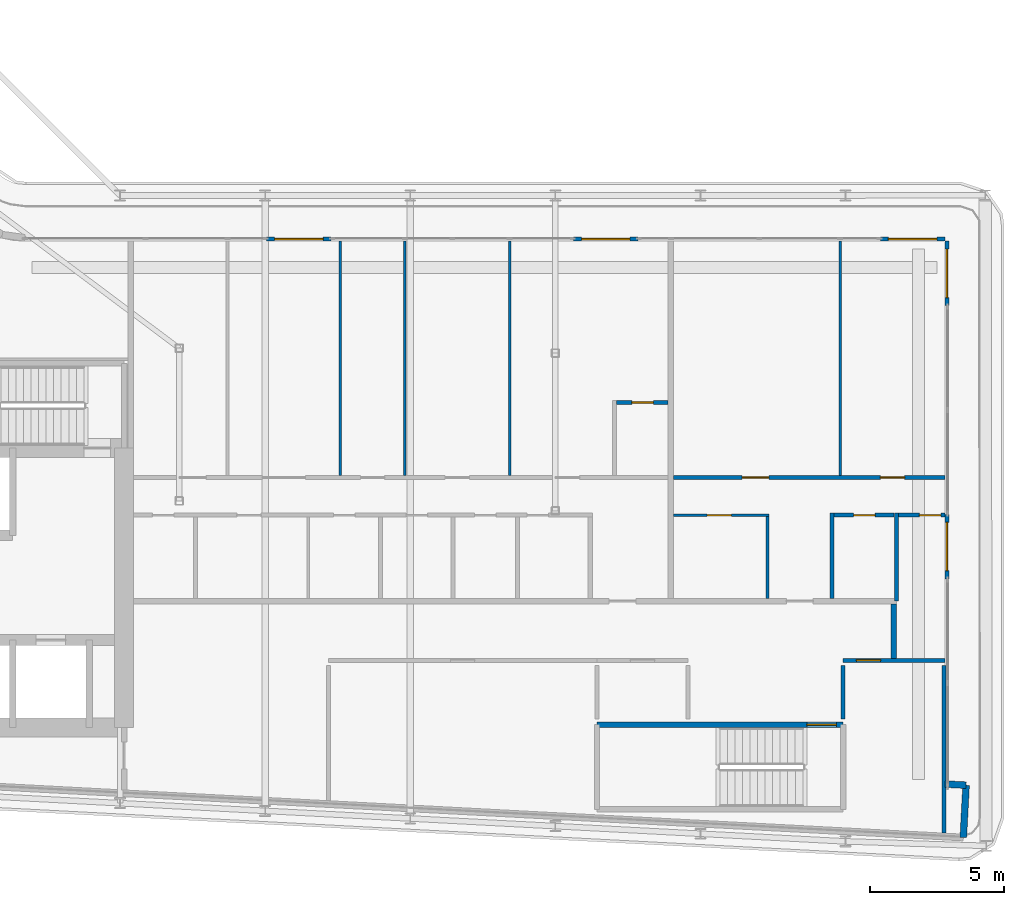
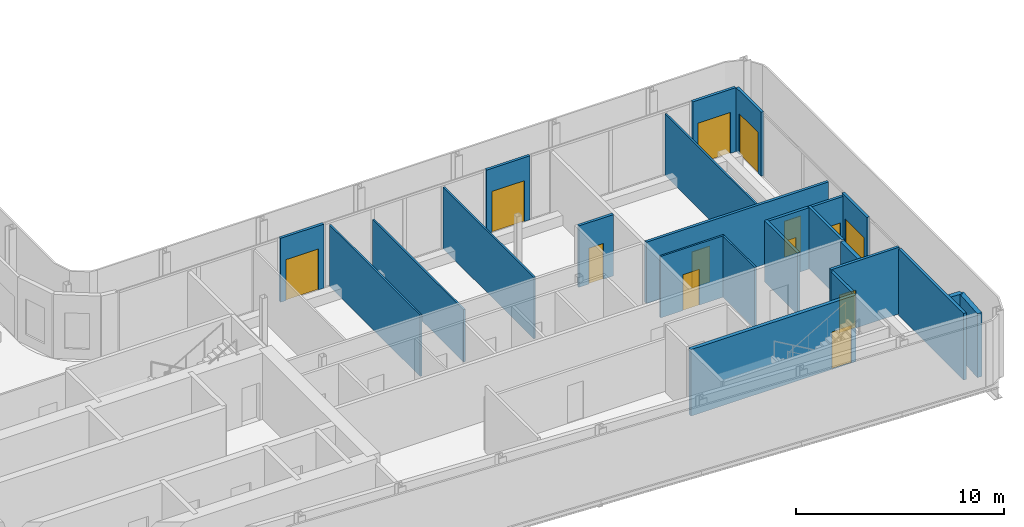
# One storey, part 12 of 21: 24 walls, 13 doors, 13 openings.
"""IFC4 building model written with IfcOpenShell, lengths in metres."""

import ifcopenshell
import ifcopenshell.guid

model = None  # the IFC model being written
_history = None  # IfcOwnerHistory: only IFC2X3 demands one
_inside = {}  # id of a spatial element -> (the spatial element, [elements in it])
_under = {}  # id of a project, library or spatial element -> (it, [spatial elements below it])
_declared = {}  # id of a project -> (the project, [libraries it declares])
_typed = {}  # id of a type object -> (the type object, [elements of that type])
_made_of = {}  # id of a material, layer set ... -> (it, [elements and type objects made of it])


def new_model(schema):
    """Start an empty IFC model of exactly this schema.

    Asked for "IFC4X3", IfcOpenShell would pick the latest addendum, in which some entities
    have other attributes; the version numbers below select the first issue.
    IFC2X3 requires an IfcOwnerHistory on every rooted entity: one is made here for all.
    """
    global model, _history
    if schema == "IFC4X3":
        model = ifcopenshell.file(schema_version=(4, 3, 0, 0))
    else:
        model = ifcopenshell.file(schema=schema)
    _inside.clear()
    _under.clear()
    _declared.clear()
    _typed.clear()
    _made_of.clear()
    _history = None
    if model.schema == "IFC2X3":
        org = make("IfcOrganization", Name="unknown")
        user = make(
            "IfcPersonAndOrganization",
            ThePerson=make("IfcPerson", FamilyName="unknown"),
            TheOrganization=org,
        )
        app = make(
            "IfcApplication",
            ApplicationDeveloper=org,
            Version="unknown",
            ApplicationFullName="unknown",
            ApplicationIdentifier="unknown",
        )
        _history = make(
            "IfcOwnerHistory",
            OwningUser=user,
            OwningApplication=app,
            ChangeAction="ADDED",
            CreationDate=0,
        )
    return model


def make(cls, **values):
    """One entity of the class cls with the attributes given. An attribute that is None is left unset."""
    return model.create_entity(
        cls, **{name: value for name, value in values.items() if value is not None}
    )


def rooted(cls, **values):
    """An entity with a GlobalId (a new one), such as an element, a storey or a relation."""
    return make(cls, GlobalId=ifcopenshell.guid.new(), OwnerHistory=_history, **values)


def si_unit(unit_type, name, prefix=None):
    """IfcSIUnit, for example si_unit("LENGTHUNIT", "METRE", prefix="MILLI")."""
    return make("IfcSIUnit", UnitType=unit_type, Prefix=prefix, Name=name)


def assignment(units):
    """IfcUnitAssignment: the units of a project."""
    return None if units is None else make("IfcUnitAssignment", Units=units)


def point(xyz):
    """IfcCartesianPoint."""
    return None if xyz is None else make("IfcCartesianPoint", Coordinates=xyz)


def direction(xyz):
    """IfcDirection."""
    return None if xyz is None else make("IfcDirection", DirectionRatios=xyz)


def frame(location, z_axis=None, x_axis=None):
    """IfcAxis2Placement3D, a coordinate frame: its origin and axes. An axis left out is left unset."""
    return make(
        "IfcAxis2Placement3D",
        Location=point(location),
        Axis=direction(z_axis),
        RefDirection=direction(x_axis),
    )


def frame_2d(location, x_axis=None):
    """IfcAxis2Placement2D, a coordinate frame in the plane: its origin and x axis."""
    return make(
        "IfcAxis2Placement2D", Location=point(location), RefDirection=direction(x_axis)
    )


def origin():
    """The frame at (0, 0, 0) with its axes left unset."""
    return frame((0.0, 0.0, 0.0))


def place(relative_to, where):
    """IfcLocalPlacement: puts the frame where relative to a parent placement (None: the world)."""
    return make(
        "IfcLocalPlacement", PlacementRelTo=relative_to, RelativePlacement=where
    )


def context(
    kind, dimensions, precision=None, world=None, true_north=None, identifier=None
):
    """IfcGeometricRepresentationContext, for example the 3D "Model" context."""
    return make(
        "IfcGeometricRepresentationContext",
        ContextIdentifier=identifier,
        ContextType=kind,
        CoordinateSpaceDimension=dimensions,
        Precision=precision,
        WorldCoordinateSystem=world,
        TrueNorth=true_north,
    )


def subcontext(parent, identifier, kind, view, scale=None):
    """IfcGeometricRepresentationSubContext, for example "Body" below "Model"."""
    return make(
        "IfcGeometricRepresentationSubContext",
        ContextIdentifier=identifier,
        ContextType=kind,
        ParentContext=parent,
        TargetScale=scale,
        TargetView=view,
    )


def project(units=None, contexts=None):
    """IfcProject with its units and contexts."""
    return rooted(
        "IfcProject",
        Name="project",
        RepresentationContexts=contexts,
        UnitsInContext=assignment(units),
    )


def spatial(cls, under=None, at=None, **own):
    """A site, building, storey or space (cls), placed at a placement, below another one or the project."""
    s = rooted(cls, ObjectPlacement=at, **own)
    if under is not None:
        _under.setdefault(under.id(), (under, []))[1].append(s)
    return s


def profile(cls, at=None, kind="AREA", **sizes):
    """A parametric profile (cls). Its sizes go by their IFC names, for example OverallWidth=200.0."""
    return make(cls, ProfileType=kind, Position=at, **sizes)


def rectangle(**sizes):
    """IfcRectangleProfileDef."""
    return profile("IfcRectangleProfileDef", **sizes)


def extrude(swept, where, along, depth):
    """IfcExtrudedAreaSolid: the profile swept, set in the frame where, extruded along a direction by depth."""
    return make(
        "IfcExtrudedAreaSolid",
        SweptArea=swept,
        Position=where,
        ExtrudedDirection=direction(along),
        Depth=depth,
    )


def shape(context_of_items, identifier, shape_type, items):
    """IfcShapeRepresentation: the items that make up one representation, for example the "Body"."""
    return make(
        "IfcShapeRepresentation",
        ContextOfItems=context_of_items,
        RepresentationIdentifier=identifier,
        RepresentationType=shape_type,
        Items=items,
    )


def source(mapping_origin, context_of_items, identifier, shape_type, items):
    """IfcRepresentationMap: a shape defined once, which mapped items show again and again."""
    return make(
        "IfcRepresentationMap",
        MappingOrigin=mapping_origin,
        MappedRepresentation=shape(context_of_items, identifier, shape_type, items),
    )


def transform(
    local_origin,
    x_axis=None,
    y_axis=None,
    z_axis=None,
    scale=None,
    scale2=None,
    scale3=None,
    uniform=True,
):
    """IfcCartesianTransformationOperator3D, or its non-uniform kind. x_axis, y_axis, z_axis: its Axis1, 2, 3."""
    if uniform:
        return make(
            "IfcCartesianTransformationOperator3D",
            Axis1=direction(x_axis),
            Axis2=direction(y_axis),
            LocalOrigin=point(local_origin),
            Scale=scale,
            Axis3=direction(z_axis),
        )
    return make(
        "IfcCartesianTransformationOperator3DnonUniform",
        Axis1=direction(x_axis),
        Axis2=direction(y_axis),
        LocalOrigin=point(local_origin),
        Scale=scale,
        Axis3=direction(z_axis),
        Scale2=scale2,
        Scale3=scale3,
    )


def mapped(mapping_source, mapping_target):
    """IfcMappedItem: shows the shape of a source again, moved by a transform."""
    return make(
        "IfcMappedItem", MappingSource=mapping_source, MappingTarget=mapping_target
    )


def material(Name=None, Category=None):
    """IfcMaterial."""
    return make("IfcMaterial", Name=Name, Category=Category)


def layer(
    of_material, thickness, ventilated=None, Name=None, Category=None, Priority=None
):
    """IfcMaterialLayer: one layer of a wall or slab, of a material (None: an air gap)."""
    return make(
        "IfcMaterialLayer",
        Material=of_material,
        LayerThickness=thickness,
        IsVentilated=ventilated,
        Name=Name,
        Category=Category,
        Priority=Priority,
    )


def layer_set(layers, Name=None):
    """IfcMaterialLayerSet."""
    return make("IfcMaterialLayerSet", MaterialLayers=layers, LayerSetName=Name)


def made_of(thing, what):
    """Note that an element or type object is made of a material, layer set ...; save() writes the relation."""
    if what is not None:
        _made_of.setdefault(what.id(), (what, []))[1].append(thing)
    return thing


def type_object(cls, material=None, **own):
    """A type object (cls), such as IfcWallType, which elements share."""
    return made_of(rooted(cls, **own), material)


def element(
    cls,
    number,
    at=None,
    inside=None,
    cuts=None,
    type_object=None,
    material=None,
    context=None,
    identifier="Body",
    shape_type=None,
    held_by="IfcProductDefinitionShape",
    body=None,
    shapes=None,
    **own,
):
    """One element of the class cls, such as IfcWall. Its Tag is "e" and its number.

    at: its placement. inside: the storey or other place that contains it. cuts: it is an
    opening in that element (IfcRelVoidsElement). A single representation is given by context,
    identifier, shape_type and body (its items); several are given by shapes. held_by: the class
    of the entity that holds the representations. save() writes the other relations.
    """
    e = rooted(cls, Tag="e%d" % number, ObjectPlacement=at, **own)
    if body is not None:
        shapes = [shape(context, identifier, shape_type, body)]
    if shapes is not None:
        e.Representation = make(held_by, Representations=shapes)
    if inside is not None:
        _inside.setdefault(inside.id(), (inside, []))[1].append(e)
    if cuts is not None:
        rooted(
            "IfcRelVoidsElement", RelatingBuildingElement=cuts, RelatedOpeningElement=e
        )
    if type_object is not None:
        _typed.setdefault(type_object.id(), (type_object, []))[1].append(e)
    return made_of(e, material)


def fill(opening, filler):
    """IfcRelFillsElement: the door or window that sits in an opening."""
    return rooted(
        "IfcRelFillsElement",
        RelatingOpeningElement=opening,
        RelatedBuildingElement=filler,
    )


def aggregate(whole, parts):
    """IfcRelAggregates: a whole, such as a stair, and the parts it consists of."""
    return rooted("IfcRelAggregates", RelatingObject=whole, RelatedObjects=parts)


def save(model, path):
    """Write the relations noted so far, then the file.

    IfcRelAggregates (storeys below a building ...), IfcRelContainedInSpatialStructure (elements
    in a storey), IfcRelDefinesByType, IfcRelAssociatesMaterial and IfcRelDeclares: one each for
    every whole, place, type object, material and project.
    """
    for whole, parts in _under.values():
        aggregate(whole, parts)
    for where, things in _inside.values():
        rooted(
            "IfcRelContainedInSpatialStructure",
            RelatedElements=things,
            RelatingStructure=where,
        )
    for kind, things in _typed.values():
        rooted("IfcRelDefinesByType", RelatedObjects=things, RelatingType=kind)
    for what, things in _made_of.values():
        rooted("IfcRelAssociatesMaterial", RelatedObjects=things, RelatingMaterial=what)
    for by, libraries in _declared.values():
        rooted("IfcRelDeclares", RelatingContext=by, RelatedDefinitions=libraries)
    model.write(path)


model = new_model("IFC4")

# Units and contexts
model_context = context("Model", 3, precision=1e-05, world=origin(), true_north=direction((0.0, 1.0)))
body_context = subcontext(model_context, "Body", "Model", "MODEL_VIEW")
ifc_project = project(units=[si_unit("LENGTHUNIT", "METRE"), si_unit("AREAUNIT", "SQUARE_METRE"), si_unit("VOLUMEUNIT", "CUBIC_METRE"), si_unit("PLANEANGLEUNIT", "RADIAN"), si_unit("MASSUNIT", "GRAM", prefix="KILO")], contexts=[model_context])

# Site, building, storey
site_placement = place(None, origin())
site = spatial("IfcSite", under=ifc_project, at=site_placement, CompositionType="ELEMENT")
building_placement = place(site_placement, origin())
building = spatial("IfcBuilding", under=site, at=building_placement, Name="Kheshtan School and Residences Tower", CompositionType="ELEMENT")
storey_placement = place(building_placement, frame((0.0, 0.0, 224.0)))
storey = spatial("IfcBuildingStorey", under=building, at=storey_placement, Name="L52", CompositionType="ELEMENT", Elevation=224.0)

# Walls
ifc_material_1 = material(Name="Gypsum board on steel studs with fire boards", Category="steel")
ifc_layer_1 = layer(ifc_material_1, 0.199951171875)
ifc_layer_set_1 = layer_set([ifc_layer_1], Name="Corridor wall 200")
wall_type_1 = type_object("IfcWallType", Name="Corridor wall 200", PredefinedType="PARTITIONING", material=ifc_layer_set_1)
wall_1_placement = place(storey_placement, frame((81.800048828125, 28.3740234375, 0.0), z_axis=(0.0, 0.0, 1.0), x_axis=(0.0, 1.0, 0.0)))
element("IfcWall", 1, at=wall_1_placement, inside=storey, type_object=wall_type_1, Name="Partition L52-044", PredefinedType="PARTITIONING", context=body_context, shape_type="SweptSolid", body=[
    extrude(rectangle(XDim=2.02587890625, YDim=0.199951171875, at=frame_2d((1.012939453125, 0.0))), origin(), (0.0, 0.0, 1.0), 3.60009765625),
])
ifc_material_2 = material(Name="Concrete C40/50 with ceramic cladding and mineral wool insulation", Category="concrete")
ifc_layer_2 = layer(ifc_material_2, 0.25)
ifc_layer_set_2 = layer_set([ifc_layer_2], Name="External wall 250 ceramic clad")
wall_type_2 = type_object("IfcWallType", Name="External wall 250 ceramic clad", PredefinedType="SOLIDWALL", material=ifc_layer_set_2)
wall_2_placement = place(storey_placement, frame((83.70703125, 23.69189453125, 0.0), z_axis=(0.0, 0.0, 1.0), x_axis=(0.998561284263, -0.053622398031, 0.0)))
element("IfcWall", 2, at=wall_2_placement, inside=storey, type_object=wall_type_2, Name="External wall L52 10", PredefinedType="SOLIDWALL", context=body_context, shape_type="SweptSolid", body=[
    extrude(rectangle(XDim=0.783203125, YDim=0.25, at=frame_2d((0.3916015625, 0.0))), origin(), (0.0, 0.0, 1.0), 3.75),
])
wall_3_placement = place(storey_placement, frame((84.489013671875, 23.64990234375, 0.0), z_axis=(0.0, 0.0, 1.0), x_axis=(-0.052841433274, -0.998602915542, 0.0)))
element("IfcWall", 3, at=wall_3_placement, inside=storey, type_object=wall_type_2, Name="External wall L52 11", PredefinedType="SOLIDWALL", context=body_context, shape_type="SweptSolid", body=[
    extrude(rectangle(XDim=1.94970703125, YDim=0.25, at=frame_2d((0.974853515625, 0.0))), origin(), (0.0, 0.0, 1.0), 3.75),
])

# Wall, opening, door
ifc_material_3 = material(Name="Aluminium frame wall with insulated infill", Category="aluminium")
ifc_layer_3 = layer(ifc_material_3, 0.14990234375)
ifc_layer_set_3 = layer_set([ifc_layer_3], Name="Glazing frame wall 150")
wall_type_3 = type_object("IfcWallType", Name="Glazing frame wall 150", PredefinedType="SOLIDWALL", material=ifc_layer_set_3)
wall_4_placement = place(storey_placement, frame((58.452880859375, 43.97509765625, 0.0), z_axis=(0.0, 0.0, 1.0), x_axis=(1.0, 0.0, 0.0)))
wall_4 = element("IfcWall", 4, at=wall_4_placement, inside=storey, type_object=wall_type_3, Name="Balcony door wall L52 8.1", PredefinedType="SOLIDWALL", context=body_context, shape_type="SweptSolid", body=[
    extrude(rectangle(XDim=2.400146484375, YDim=0.14990234375, at=frame_2d((1.2001953125, 0.0))), origin(), (0.0, 0.0, 1.0), 3.75),
])
opening_1_placement = place(wall_4_placement, frame((0.300048828125, 0.0, 0.0)))
opening_1 = element("IfcOpeningElement", 5, at=opening_1_placement, cuts=wall_4, Name="Opening BD", PredefinedType="OPENING", context=body_context, shape_type="SweptSolid", body=[
    extrude(rectangle(XDim=1.800048828125, YDim=2.39990234375, at=frame_2d((0.89990234375, 1.199951171875))), frame((0.0, 0.0849609375, 0.0), z_axis=(0.0, -1.0, 0.0), x_axis=(1.0, 0.0, 0.0)), (0.0, 0.0, 1.0), 0.169921875),
])
ifc_material_4 = material(Name="Clear low-e glass in thermally broken aluminium frame", Category="aluminium")
door_type_1 = type_object("IfcDoorType", Name="Balcony sliding door", OperationType="SLIDING_TO_LEFT", PredefinedType="DOOR", material=ifc_material_4)
shared_shape_1 = source(origin(), body_context, "Body", "SweptSolid", [
    extrude(rectangle(XDim=1.800048828125, YDim=2.39990234375, at=frame_2d((0.89990234375, 1.199951171875))), frame((0.0, 0.02490234375, 0.0), z_axis=(0.0, -1.0, 0.0), x_axis=(1.0, 0.0, 0.0)), (0.0, 0.0, 1.0), 0.050048828125),
])
door_1_placement = place(opening_1_placement, origin())
door_1 = element("IfcDoor", 6, at=door_1_placement, inside=storey, type_object=door_type_1, Name="Balcony door L52 8.1", OperationType="SLIDING_TO_LEFT", OverallHeight=2.39990234375, OverallWidth=1.800048828125, PredefinedType="DOOR", context=body_context, shape_type="MappedRepresentation", body=[
    mapped(shared_shape_1, transform((0.0, 0.0, 0.0), x_axis=(1.0, 0.0, 0.0), y_axis=(0.0, 1.0, 0.0), z_axis=(0.0, 0.0, 1.0), scale=1.0)),
])
fill(opening_1, door_1)

wall_5_placement = place(storey_placement, frame((69.876953125, 43.97509765625, 0.0), z_axis=(0.0, 0.0, 1.0), x_axis=(1.0, 0.0, 0.0)))
wall_5 = element("IfcWall", 7, at=wall_5_placement, inside=storey, type_object=wall_type_3, Name="Balcony door wall L52 8.2", PredefinedType="SOLIDWALL", context=body_context, shape_type="SweptSolid", body=[
    extrude(rectangle(XDim=2.400146484375, YDim=0.14990234375, at=frame_2d((1.2001953125, 0.0))), origin(), (0.0, 0.0, 1.0), 3.75),
])
opening_2_placement = place(wall_5_placement, frame((0.300048828125, 0.0, 0.0)))
opening_2 = element("IfcOpeningElement", 8, at=opening_2_placement, cuts=wall_5, Name="Opening BD", PredefinedType="OPENING", context=body_context, shape_type="SweptSolid", body=[
    extrude(rectangle(XDim=1.800048828125, YDim=2.39990234375, at=frame_2d((0.89990234375, 1.199951171875))), frame((0.0, 0.0849609375, 0.0), z_axis=(0.0, -1.0, 0.0), x_axis=(1.0, 0.0, 0.0)), (0.0, 0.0, 1.0), 0.169921875),
])
door_2_placement = place(opening_2_placement, origin())
door_2 = element("IfcDoor", 9, at=door_2_placement, inside=storey, type_object=door_type_1, Name="Balcony door L52 8.2", OperationType="SLIDING_TO_LEFT", OverallHeight=2.39990234375, OverallWidth=1.800048828125, PredefinedType="DOOR", context=body_context, shape_type="MappedRepresentation", body=[
    mapped(shared_shape_1, transform((0.0, 0.0, 0.0), x_axis=(1.0, 0.0, 0.0), y_axis=(0.0, 1.0, 0.0), z_axis=(0.0, 0.0, 1.0), scale=1.0)),
])
fill(opening_2, door_2)

wall_6_placement = place(storey_placement, frame((81.300048828125, 43.97509765625, 0.0), z_axis=(0.0, 0.0, 1.0), x_axis=(1.0, 0.0, 0.0)))
wall_6 = element("IfcWall", 10, at=wall_6_placement, inside=storey, type_object=wall_type_3, Name="Balcony door wall L52 8.3", PredefinedType="SOLIDWALL", context=body_context, shape_type="SweptSolid", body=[
    extrude(rectangle(XDim=2.39990234375, YDim=0.14990234375, at=frame_2d((1.199951171875, 0.0))), origin(), (0.0, 0.0, 1.0), 3.75),
])
opening_3_placement = place(wall_6_placement, frame((0.300048828125, 0.0, 0.0)))
opening_3 = element("IfcOpeningElement", 11, at=opening_3_placement, cuts=wall_6, Name="Opening BD", PredefinedType="OPENING", context=body_context, shape_type="SweptSolid", body=[
    extrude(rectangle(XDim=1.800048828125, YDim=2.39990234375, at=frame_2d((0.89990234375, 1.199951171875))), frame((0.0, 0.0849609375, 0.0), z_axis=(0.0, -1.0, 0.0), x_axis=(1.0, 0.0, 0.0)), (0.0, 0.0, 1.0), 0.169921875),
])
door_3_placement = place(opening_3_placement, origin())
door_3 = element("IfcDoor", 12, at=door_3_placement, inside=storey, type_object=door_type_1, Name="Balcony door L52 8.3", OperationType="SLIDING_TO_LEFT", OverallHeight=2.39990234375, OverallWidth=1.800048828125, PredefinedType="DOOR", context=body_context, shape_type="MappedRepresentation", body=[
    mapped(shared_shape_1, transform((0.0, 0.0, 0.0), x_axis=(1.0, 0.0, 0.0), y_axis=(0.0, 1.0, 0.0), z_axis=(0.0, 0.0, 1.0), scale=1.0)),
])
fill(opening_3, door_3)

wall_7_placement = place(storey_placement, frame((83.77490234375, 43.89990234375, 0.0), z_axis=(0.0, 0.0, 1.0), x_axis=(0.0, -1.0, 0.0)))
wall_7 = element("IfcWall", 13, at=wall_7_placement, inside=storey, type_object=wall_type_3, Name="Balcony door wall L52 9.1", PredefinedType="SOLIDWALL", context=body_context, shape_type="SweptSolid", body=[
    extrude(rectangle(XDim=2.39990234375, YDim=0.14990234375, at=frame_2d((1.199951171875, 0.0))), origin(), (0.0, 0.0, 1.0), 3.75),
])
opening_4_placement = place(wall_7_placement, frame((0.300048828125, 0.0, 0.0)))
opening_4 = element("IfcOpeningElement", 14, at=opening_4_placement, cuts=wall_7, Name="Opening BD", PredefinedType="OPENING", context=body_context, shape_type="SweptSolid", body=[
    extrude(rectangle(XDim=1.800048828125, YDim=2.39990234375, at=frame_2d((0.89990234375, 1.199951171875))), frame((0.0, 0.0849609375, 0.0), z_axis=(0.0, -1.0, 0.0), x_axis=(1.0, 0.0, 0.0)), (0.0, 0.0, 1.0), 0.169921875),
])
door_4_placement = place(opening_4_placement, origin())
door_4 = element("IfcDoor", 15, at=door_4_placement, inside=storey, type_object=door_type_1, Name="Balcony door L52 9.1", OperationType="SLIDING_TO_LEFT", OverallHeight=2.39990234375, OverallWidth=1.800048828125, PredefinedType="DOOR", context=body_context, shape_type="MappedRepresentation", body=[
    mapped(shared_shape_1, transform((0.0, 0.0, 0.0), x_axis=(1.0, 0.0, 0.0), y_axis=(0.0, 1.0, 0.0), z_axis=(0.0, 0.0, 1.0), scale=1.0)),
])
fill(opening_4, door_4)

wall_8_placement = place(storey_placement, frame((83.77490234375, 33.73291015625, 0.0), z_axis=(0.0, 0.0, 1.0), x_axis=(0.0, -1.0, 0.0)))
wall_8 = element("IfcWall", 16, at=wall_8_placement, inside=storey, type_object=wall_type_3, Name="Balcony door wall L52 9.2", PredefinedType="SOLIDWALL", context=body_context, shape_type="SweptSolid", body=[
    extrude(rectangle(XDim=2.39892578125, YDim=0.14990234375, at=frame_2d((1.199462890625, 0.0))), origin(), (0.0, 0.0, 1.0), 3.75),
])
opening_5_placement = place(wall_8_placement, frame((0.300048828125, 0.0, 0.0)))
opening_5 = element("IfcOpeningElement", 17, at=opening_5_placement, cuts=wall_8, Name="Opening BD", PredefinedType="OPENING", context=body_context, shape_type="SweptSolid", body=[
    extrude(rectangle(XDim=1.800048828125, YDim=2.39990234375, at=frame_2d((0.89990234375, 1.199951171875))), frame((0.0, 0.0849609375, 0.0), z_axis=(0.0, -1.0, 0.0), x_axis=(1.0, 0.0, 0.0)), (0.0, 0.0, 1.0), 0.169921875),
])
door_5_placement = place(opening_5_placement, origin())
door_5 = element("IfcDoor", 18, at=door_5_placement, inside=storey, type_object=door_type_1, Name="Balcony door L52 9.2", OperationType="SLIDING_TO_LEFT", OverallHeight=2.39990234375, OverallWidth=1.800048828125, PredefinedType="DOOR", context=body_context, shape_type="MappedRepresentation", body=[
    mapped(shared_shape_1, transform((0.0, 0.0, 0.0), x_axis=(1.0, 0.0, 0.0), y_axis=(0.0, 1.0, 0.0), z_axis=(0.0, 0.0, 1.0), scale=1.0)),
])
fill(opening_5, door_5)

# Walls
ifc_material_5 = material(Name="Gypsum board on steel studs", Category="steel")
ifc_layer_4 = layer(ifc_material_5, 0.10009765625)
ifc_layer_set_4 = layer_set([ifc_layer_4], Name="Gypsum partition 100")
wall_type_4 = type_object("IfcWallType", Name="Gypsum partition 100", PredefinedType="PARTITIONING", material=ifc_layer_set_4)
wall_9_placement = place(storey_placement, frame((61.199951171875, 35.175048828125, 0.0), z_axis=(0.0, 0.0, 1.0), x_axis=(0.0, 1.0, 0.0)))
element("IfcWall", 19, at=wall_9_placement, inside=storey, type_object=wall_type_4, Name="Partition L52-028", PredefinedType="PARTITIONING", context=body_context, shape_type="SweptSolid", body=[
    extrude(rectangle(XDim=8.724853515625, YDim=0.10009765625, at=frame_2d((4.3623046875, 0.0))), origin(), (0.0, 0.0, 1.0), 3.60009765625),
])
wall_10_placement = place(storey_placement, frame((63.60009765625, 35.175048828125, 0.0), z_axis=(0.0, 0.0, 1.0), x_axis=(0.0, 1.0, 0.0)))
element("IfcWall", 20, at=wall_10_placement, inside=storey, type_object=wall_type_4, Name="Partition L52-030", PredefinedType="PARTITIONING", context=body_context, shape_type="SweptSolid", body=[
    extrude(rectangle(XDim=8.724853515625, YDim=0.10009765625, at=frame_2d((4.3623046875, 0.0))), origin(), (0.0, 0.0, 1.0), 3.072021484375),
])
wall_11_placement = place(storey_placement, frame((67.5, 35.175048828125, 0.0), z_axis=(0.0, 0.0, 1.0), x_axis=(0.0, 1.0, 0.0)))
element("IfcWall", 21, at=wall_11_placement, inside=storey, type_object=wall_type_4, Name="Partition L52-032", PredefinedType="PARTITIONING", context=body_context, shape_type="SweptSolid", body=[
    extrude(rectangle(XDim=8.724853515625, YDim=0.10009765625, at=frame_2d((4.3623046875, 0.0))), origin(), (0.0, 0.0, 1.0), 3.60009765625),
])

# Wall, opening, door
wall_12_placement = place(storey_placement, frame((73.60009765625, 33.699951171875, 0.0), z_axis=(0.0, 0.0, 1.0), x_axis=(1.0, 0.0, 0.0)))
wall_12 = element("IfcWall", 22, at=wall_12_placement, inside=storey, type_object=wall_type_4, Name="Partition L52-038", PredefinedType="PARTITIONING", context=body_context, shape_type="SweptSolid", body=[
    extrude(rectangle(XDim=3.5498046875, YDim=0.10009765625, at=frame_2d((1.77490234375, 0.0))), origin(), (0.0, 0.0, 1.0), 3.60009765625),
])
opening_6_placement = place(wall_12_placement, frame((1.25, 0.0, 0.0)))
opening_6 = element("IfcOpeningElement", 23, at=opening_6_placement, cuts=wall_12, Name="Opening D52-017", PredefinedType="OPENING", context=body_context, shape_type="SweptSolid", body=[
    extrude(rectangle(XDim=0.89990234375, YDim=2.10009765625, at=frame_2d((0.449951171875, 1.050048828125))), frame((0.0, 0.06005859375, 0.0), z_axis=(0.0, -1.0, 0.0), x_axis=(1.0, 0.0, 0.0)), (0.0, 0.0, 1.0), 0.1201171875),
])
ifc_material_6 = material(Name="Veneered timber door leaf", Category="wood")
door_type_2 = type_object("IfcDoorType", Name="Door 900 x 2100", OperationType="SINGLE_SWING_LEFT", PredefinedType="DOOR", material=ifc_material_6)
shared_shape_2 = source(origin(), body_context, "Body", "SweptSolid", [
    extrude(rectangle(XDim=0.89990234375, YDim=2.10009765625, at=frame_2d((0.449951171875, 1.050048828125))), frame((0.0, 0.02490234375, 0.0), z_axis=(0.0, -1.0, 0.0), x_axis=(1.0, 0.0, 0.0)), (0.0, 0.0, 1.0), 0.050048828125),
])
door_6_placement = place(opening_6_placement, origin())
door_6 = element("IfcDoor", 24, at=door_6_placement, inside=storey, type_object=door_type_2, Name="Door D52-017", OperationType="SINGLE_SWING_LEFT", OverallHeight=2.10009765625, OverallWidth=0.89990234375, PredefinedType="DOOR", context=body_context, shape_type="MappedRepresentation", body=[
    mapped(shared_shape_2, transform((0.0, 0.0, 0.0), x_axis=(1.0, 0.0, 0.0), y_axis=(0.0, 1.0, 0.0), z_axis=(0.0, 0.0, 1.0), scale=1.0)),
])
fill(opening_6, door_6)

# Walls
wall_13_placement = place(storey_placement, frame((77.10009765625, 30.60009765625, 0.0), z_axis=(0.0, 0.0, 1.0), x_axis=(0.0, 1.0, 0.0)))
element("IfcWall", 25, at=wall_13_placement, inside=storey, type_object=wall_type_4, Name="Partition L52-040", PredefinedType="PARTITIONING", context=body_context, shape_type="SweptSolid", body=[
    extrude(rectangle(XDim=3.0498046875, YDim=0.10009765625, at=frame_2d((1.52490234375, 0.0))), origin(), (0.0, 0.0, 1.0), 3.60009765625),
])
wall_14_placement = place(storey_placement, frame((79.800048828125, 35.175048828125, 0.0), z_axis=(0.0, 0.0, 1.0), x_axis=(0.0, 1.0, 0.0)))
element("IfcWall", 26, at=wall_14_placement, inside=storey, type_object=wall_type_4, Name="Partition L52-043", PredefinedType="PARTITIONING", context=body_context, shape_type="SweptSolid", body=[
    extrude(rectangle(XDim=8.724853515625, YDim=0.10009765625, at=frame_2d((4.3623046875, 0.0))), origin(), (0.0, 0.0, 1.0), 3.60009765625),
])

# Wall, opening, door
ifc_material_7 = material(Name="Fire-board shaft wall system")
ifc_layer_5 = layer(ifc_material_7, 0.14990234375)
ifc_layer_set_5 = layer_set([ifc_layer_5], Name="Service room wall 150")
wall_type_5 = type_object("IfcWallType", Name="Service room wall 150", PredefinedType="PARTITIONING", material=ifc_layer_set_5)
wall_15_placement = place(storey_placement, frame((79.909912109375, 28.300048828125, 0.0), z_axis=(0.0, 0.0, 1.0), x_axis=(1.0, 0.0, 0.0)))
wall_15 = element("IfcWall", 27, at=wall_15_placement, inside=storey, type_object=wall_type_5, Name="Service room wall", PredefinedType="PARTITIONING", context=body_context, shape_type="SweptSolid", body=[
    extrude(rectangle(XDim=3.7880859375, YDim=0.14990234375, at=frame_2d((1.89404296875, 0.0))), origin(), (0.0, 0.0, 1.0), 3.89990234375),
])
opening_7_placement = place(wall_15_placement, frame((0.4951171875, 0.0, 0.0)))
opening_7 = element("IfcOpeningElement", 28, at=opening_7_placement, cuts=wall_15, Name="Opening SR90", PredefinedType="OPENING", context=body_context, shape_type="SweptSolid", body=[
    extrude(rectangle(XDim=0.89990234375, YDim=2.199951171875, at=frame_2d((0.449951171875, 1.10009765625))), frame((0.0, 0.0849609375, 0.0), z_axis=(0.0, -1.0, 0.0), x_axis=(1.0, 0.0, 0.0)), (0.0, 0.0, 1.0), 0.169921875),
])
ifc_material_8 = material(Name="Steel door leaf, galvanised", Category="steel")
door_type_3 = type_object("IfcDoorType", Name="Service room door 900 steel 90 min", OperationType="SINGLE_SWING_LEFT", PredefinedType="DOOR", material=ifc_material_8)
shared_shape_3 = source(origin(), body_context, "Body", "SweptSolid", [
    extrude(rectangle(XDim=0.89990234375, YDim=2.199951171875, at=frame_2d((0.449951171875, 1.10009765625))), frame((0.0, 0.02490234375, 0.0), z_axis=(0.0, -1.0, 0.0), x_axis=(1.0, 0.0, 0.0)), (0.0, 0.0, 1.0), 0.050048828125),
])
door_7_placement = place(opening_7_placement, origin())
door_7 = element("IfcDoor", 29, at=door_7_placement, inside=storey, type_object=door_type_3, Name="Service room door", OperationType="SINGLE_SWING_RIGHT", OverallHeight=2.199951171875, OverallWidth=0.89990234375, PredefinedType="DOOR", context=body_context, shape_type="MappedRepresentation", body=[
    mapped(shared_shape_3, transform((0.0, 0.0, 0.0), x_axis=(1.0, 0.0, 0.0), y_axis=(0.0, 1.0, 0.0), z_axis=(0.0, 0.0, 1.0), scale=1.0)),
])
fill(opening_7, door_7)

# Walls
wall_16_placement = place(storey_placement, frame((79.909912109375, 26.1201171875, 0.0), z_axis=(0.0, 0.0, 1.0), x_axis=(0.0, 1.0, 0.0)))
element("IfcWall", 30, at=wall_16_placement, inside=storey, type_object=wall_type_5, Name="Service room wall", PredefinedType="PARTITIONING", context=body_context, shape_type="SweptSolid", body=[
    extrude(rectangle(XDim=1.98486328125, YDim=0.14990234375, at=frame_2d((0.992431640625, 0.0))), origin(), (0.0, 0.0, 1.0), 3.89990234375),
])
wall_17_placement = place(storey_placement, frame((83.669921875, 21.867919921875, 0.0), z_axis=(0.0, 0.0, 1.0), x_axis=(0.0, 1.0, 0.0)))
element("IfcWall", 31, at=wall_17_placement, inside=storey, type_object=wall_type_5, Name="Service room wall", PredefinedType="PARTITIONING", context=body_context, shape_type="SweptSolid", body=[
    extrude(rectangle(XDim=6.237060546875, YDim=0.14990234375, at=frame_2d((3.11865234375, 0.0))), origin(), (0.0, 0.0, 1.0), 3.89990234375),
])

# Wall, opening, door
ifc_material_9 = material(Name="Concrete C40/50", Category="concrete")
ifc_layer_6 = layer(ifc_material_9, 0.199951171875)
ifc_layer_set_6 = layer_set([ifc_layer_6], Name="Stair enclosure wall 200 Concrete C40/50")
wall_type_6 = type_object("IfcWallType", Name="Stair enclosure wall 200 Concrete C40/50", PredefinedType="SHEAR", material=ifc_layer_set_6)
wall_18_placement = place(storey_placement, frame((70.75, 25.89990234375, 0.0), z_axis=(0.0, 0.0, 1.0), x_axis=(1.0, 0.0, 0.0)))
wall_18 = element("IfcWall", 32, at=wall_18_placement, inside=storey, type_object=wall_type_6, Name="Stair enclosure wall ST5", PredefinedType="SHEAR", context=body_context, shape_type="SweptSolid", body=[
    extrude(rectangle(XDim=9.159912109375, YDim=0.199951171875, at=frame_2d((4.580078125, 0.0))), origin(), (0.0, 0.0, 1.0), 3.89990234375),
])
opening_8_placement = place(wall_18_placement, frame((7.81005859375, 0.0, 0.0)))
opening_8 = element("IfcOpeningElement", 33, at=opening_8_placement, cuts=wall_18, Name="Opening ST5D", PredefinedType="OPENING", context=body_context, shape_type="SweptSolid", body=[
    extrude(rectangle(XDim=1.10009765625, YDim=2.199951171875, at=frame_2d((0.550048828125, 1.10009765625))), frame((0.0, 0.10986328125, 0.0), z_axis=(0.0, -1.0, 0.0), x_axis=(1.0, 0.0, 0.0)), (0.0, 0.0, 1.0), 0.219970703125),
])
door_type_4 = type_object("IfcDoorType", Name="Stair door 1100 steel 90 min", OperationType="SINGLE_SWING_LEFT", PredefinedType="DOOR", material=ifc_material_8)
shared_shape_4 = source(origin(), body_context, "Body", "SweptSolid", [
    extrude(rectangle(XDim=1.10009765625, YDim=2.199951171875, at=frame_2d((0.550048828125, 1.10009765625))), frame((0.0, 0.02490234375, 0.0), z_axis=(0.0, -1.0, 0.0), x_axis=(1.0, 0.0, 0.0)), (0.0, 0.0, 1.0), 0.050048828125),
])
door_8_placement = place(opening_8_placement, origin())
door_8 = element("IfcDoor", 34, at=door_8_placement, inside=storey, type_object=door_type_4, Name="Stair ST5 door", OperationType="SINGLE_SWING_LEFT", OverallHeight=2.199951171875, OverallWidth=1.10009765625, PredefinedType="DOOR", context=body_context, shape_type="MappedRepresentation", body=[
    mapped(shared_shape_4, transform((0.0, 0.0, 0.0), x_axis=(1.0, 0.0, 0.0), y_axis=(0.0, 1.0, 0.0), z_axis=(0.0, 0.0, 1.0), scale=1.0)),
])
fill(opening_8, door_8)

ifc_material_10 = material(Name="Moisture-resistant gypsum board on steel studs", Category="steel")
ifc_layer_7 = layer(ifc_material_10, 0.14990234375)
ifc_layer_set_7 = layer_set([ifc_layer_7], Name="Wet-room partition 150")
wall_type_7 = type_object("IfcWallType", Name="Wet-room partition 150", PredefinedType="PARTITIONING", material=ifc_layer_set_7)
wall_19_placement = place(storey_placement, frame((71.47509765625, 37.89990234375, 0.0), z_axis=(0.0, 0.0, 1.0), x_axis=(1.0, 0.0, 0.0)))
wall_19 = element("IfcWall", 35, at=wall_19_placement, inside=storey, type_object=wall_type_7, Name="Partition L52-036", PredefinedType="PARTITIONING", context=body_context, shape_type="SweptSolid", body=[
    extrude(rectangle(XDim=1.9248046875, YDim=0.14990234375, at=frame_2d((0.96240234375, 0.0))), origin(), (0.0, 0.0, 1.0), 3.60009765625),
])
opening_9_placement = place(wall_19_placement, frame((0.574951171875, 0.0, 0.0)))
opening_9 = element("IfcOpeningElement", 36, at=opening_9_placement, cuts=wall_19, Name="Opening D52-006", PredefinedType="OPENING", context=body_context, shape_type="SweptSolid", body=[
    extrude(rectangle(XDim=0.800048828125, YDim=2.10009765625, at=frame_2d((0.39990234375, 1.050048828125))), frame((0.0, 0.0849609375, 0.0), z_axis=(0.0, -1.0, 0.0), x_axis=(1.0, 0.0, 0.0)), (0.0, 0.0, 1.0), 0.169921875),
])
door_type_5 = type_object("IfcDoorType", Name="Door 800 x 2100", OperationType="SINGLE_SWING_LEFT", PredefinedType="DOOR", material=ifc_material_6)
shared_shape_5 = source(origin(), body_context, "Body", "SweptSolid", [
    extrude(rectangle(XDim=0.800048828125, YDim=2.10009765625, at=frame_2d((0.39990234375, 1.050048828125))), frame((0.0, 0.02490234375, 0.0), z_axis=(0.0, -1.0, 0.0), x_axis=(1.0, 0.0, 0.0)), (0.0, 0.0, 1.0), 0.050048828125),
])
door_9_placement = place(opening_9_placement, origin())
door_9 = element("IfcDoor", 37, at=door_9_placement, inside=storey, type_object=door_type_5, Name="Door D52-006", OperationType="SINGLE_SWING_LEFT", OverallHeight=2.10009765625, OverallWidth=0.800048828125, PredefinedType="DOOR", context=body_context, shape_type="MappedRepresentation", body=[
    mapped(shared_shape_5, transform((0.0, 0.0, 0.0), x_axis=(1.0, 0.0, 0.0), y_axis=(0.0, 1.0, 0.0), z_axis=(0.0, 0.0, 1.0), scale=1.0)),
])
fill(opening_9, door_9)

# Wall, openings, doors
wall_20_placement = place(storey_placement, frame((73.60009765625, 35.10009765625, 0.0), z_axis=(0.0, 0.0, 1.0), x_axis=(1.0, 0.0, 0.0)))
wall_20 = element("IfcWall", 38, at=wall_20_placement, inside=storey, type_object=wall_type_7, Name="Partition L52-039", PredefinedType="PARTITIONING", context=body_context, shape_type="SweptSolid", body=[
    extrude(rectangle(XDim=10.099853515625, YDim=0.14990234375, at=frame_2d((5.0498046875, 0.0))), origin(), (0.0, 0.0, 1.0), 3.60009765625),
])
opening_10_placement = place(wall_20_placement, frame((7.699951171875, 0.0, 0.0)))
opening_10 = element("IfcOpeningElement", 39, at=opening_10_placement, cuts=wall_20, Name="Opening D52-015", PredefinedType="OPENING", context=body_context, shape_type="SweptSolid", body=[
    extrude(rectangle(XDim=0.89990234375, YDim=2.10009765625, at=frame_2d((0.449951171875, 1.050048828125))), frame((0.0, 0.0849609375, 0.0), z_axis=(0.0, -1.0, 0.0), x_axis=(1.0, 0.0, 0.0)), (0.0, 0.0, 1.0), 0.169921875),
])
opening_11_placement = place(wall_20_placement, frame((2.550048828125, 0.0, 0.0)))
opening_11 = element("IfcOpeningElement", 40, at=opening_11_placement, cuts=wall_20, Name="Opening D52-018", PredefinedType="OPENING", context=body_context, shape_type="SweptSolid", body=[
    extrude(rectangle(XDim=1.0, YDim=2.10009765625, at=frame_2d((0.5, 1.050048828125))), frame((0.0, 0.0849609375, 0.0), z_axis=(0.0, -1.0, 0.0), x_axis=(1.0, 0.0, 0.0)), (0.0, 0.0, 1.0), 0.169921875),
])
door_type_6 = type_object("IfcDoorType", Name="Door 1000 x 2100", OperationType="SINGLE_SWING_LEFT", PredefinedType="DOOR", material=ifc_material_6)
shared_shape_6 = source(origin(), body_context, "Body", "SweptSolid", [
    extrude(rectangle(XDim=1.0, YDim=2.10009765625, at=frame_2d((0.5, 1.050048828125))), frame((0.0, 0.02490234375, 0.0), z_axis=(0.0, -1.0, 0.0), x_axis=(1.0, 0.0, 0.0)), (0.0, 0.0, 1.0), 0.050048828125),
])
door_10_placement = place(opening_11_placement, origin())
door_10 = element("IfcDoor", 41, at=door_10_placement, inside=storey, type_object=door_type_6, Name="Door D52-018", OperationType="SINGLE_SWING_LEFT", OverallHeight=2.10009765625, OverallWidth=1.0, PredefinedType="DOOR", context=body_context, shape_type="MappedRepresentation", body=[
    mapped(shared_shape_6, transform((0.0, 0.0, 0.0), x_axis=(1.0, 0.0, 0.0), y_axis=(0.0, 1.0, 0.0), z_axis=(0.0, 0.0, 1.0), scale=1.0)),
])
fill(opening_11, door_10)
door_11_placement = place(opening_10_placement, origin())
door_11 = element("IfcDoor", 42, at=door_11_placement, inside=storey, type_object=door_type_2, Name="Door D52-015", OperationType="SINGLE_SWING_RIGHT", OverallHeight=2.10009765625, OverallWidth=0.89990234375, PredefinedType="DOOR", context=body_context, shape_type="MappedRepresentation", body=[
    mapped(shared_shape_2, transform((0.0, 0.0, 0.0), x_axis=(1.0, 0.0, 0.0), y_axis=(0.0, 1.0, 0.0), z_axis=(0.0, 0.0, 1.0), scale=1.0)),
])
fill(opening_10, door_11)

# Wall
wall_21_placement = place(storey_placement, frame((79.5, 30.60009765625, 0.0), z_axis=(0.0, 0.0, 1.0), x_axis=(0.0, 1.0, 0.0)))
element("IfcWall", 43, at=wall_21_placement, inside=storey, type_object=wall_type_7, Name="Partition L52-041", PredefinedType="PARTITIONING", context=body_context, shape_type="SweptSolid", body=[
    extrude(rectangle(XDim=3.1748046875, YDim=0.14990234375, at=frame_2d((1.58740234375, 0.0))), origin(), (0.0, 0.0, 1.0), 3.60009765625),
])

# Wall, opening, door
wall_22_placement = place(storey_placement, frame((79.574951171875, 33.699951171875, 0.0), z_axis=(0.0, 0.0, 1.0), x_axis=(1.0, 0.0, 0.0)))
wall_22 = element("IfcWall", 44, at=wall_22_placement, inside=storey, type_object=wall_type_7, Name="Partition L52-042", PredefinedType="PARTITIONING", context=body_context, shape_type="SweptSolid", body=[
    extrude(rectangle(XDim=2.22509765625, YDim=0.14990234375, at=frame_2d((1.112548828125, 0.0))), origin(), (0.0, 0.0, 1.0), 3.60009765625),
])
opening_12_placement = place(wall_22_placement, frame((0.72509765625, 0.0, 0.0)))
opening_12 = element("IfcOpeningElement", 45, at=opening_12_placement, cuts=wall_22, Name="Opening D52-014", PredefinedType="OPENING", context=body_context, shape_type="SweptSolid", body=[
    extrude(rectangle(XDim=0.800048828125, YDim=2.10009765625, at=frame_2d((0.39990234375, 1.050048828125))), frame((0.0, 0.0849609375, 0.0), z_axis=(0.0, -1.0, 0.0), x_axis=(1.0, 0.0, 0.0)), (0.0, 0.0, 1.0), 0.169921875),
])
door_12_placement = place(opening_12_placement, origin())
door_12 = element("IfcDoor", 46, at=door_12_placement, inside=storey, type_object=door_type_5, Name="Door D52-014", OperationType="SINGLE_SWING_RIGHT", OverallHeight=2.10009765625, OverallWidth=0.800048828125, PredefinedType="DOOR", context=body_context, shape_type="MappedRepresentation", body=[
    mapped(shared_shape_5, transform((0.0, 0.0, 0.0), x_axis=(1.0, 0.0, 0.0), y_axis=(0.0, 1.0, 0.0), z_axis=(0.0, 0.0, 1.0), scale=1.0)),
])
fill(opening_12, door_12)

# Wall
wall_23_placement = place(storey_placement, frame((81.89990234375, 30.5, 0.0), z_axis=(0.0, 0.0, 1.0), x_axis=(0.0, 1.0, 0.0)))
element("IfcWall", 47, at=wall_23_placement, inside=storey, type_object=wall_type_7, Name="Partition L52-045", PredefinedType="PARTITIONING", context=body_context, shape_type="SweptSolid", body=[
    extrude(rectangle(XDim=3.27490234375, YDim=0.14990234375, at=frame_2d((1.637451171875, 0.0))), origin(), (0.0, 0.0, 1.0), 3.60009765625),
])

# Wall, opening, door
wall_24_placement = place(storey_placement, frame((81.97509765625, 33.699951171875, 0.0), z_axis=(0.0, 0.0, 1.0), x_axis=(1.0, 0.0, 0.0)))
wall_24 = element("IfcWall", 48, at=wall_24_placement, inside=storey, type_object=wall_type_7, Name="Partition L52-046", PredefinedType="PARTITIONING", context=body_context, shape_type="SweptSolid", body=[
    extrude(rectangle(XDim=1.724853515625, YDim=0.14990234375, at=frame_2d((0.8623046875, 0.0))), origin(), (0.0, 0.0, 1.0), 3.60009765625),
])
opening_13_placement = place(wall_24_placement, frame((0.77490234375, 0.0, 0.0)))
opening_13 = element("IfcOpeningElement", 49, at=opening_13_placement, cuts=wall_24, Name="Opening D52-019", PredefinedType="OPENING", context=body_context, shape_type="SweptSolid", body=[
    extrude(rectangle(XDim=0.800048828125, YDim=2.10009765625, at=frame_2d((0.39990234375, 1.050048828125))), frame((0.0, 0.0849609375, 0.0), z_axis=(0.0, -1.0, 0.0), x_axis=(1.0, 0.0, 0.0)), (0.0, 0.0, 1.0), 0.169921875),
])
door_13_placement = place(opening_13_placement, origin())
door_13 = element("IfcDoor", 50, at=door_13_placement, inside=storey, type_object=door_type_5, Name="Door D52-019", OperationType="SINGLE_SWING_LEFT", OverallHeight=2.10009765625, OverallWidth=0.800048828125, PredefinedType="DOOR", context=body_context, shape_type="MappedRepresentation", body=[
    mapped(shared_shape_5, transform((0.0, 0.0, 0.0), x_axis=(1.0, 0.0, 0.0), y_axis=(0.0, 1.0, 0.0), z_axis=(0.0, 0.0, 1.0), scale=1.0)),
])
fill(opening_13, door_13)

save(model, "model.ifc")
